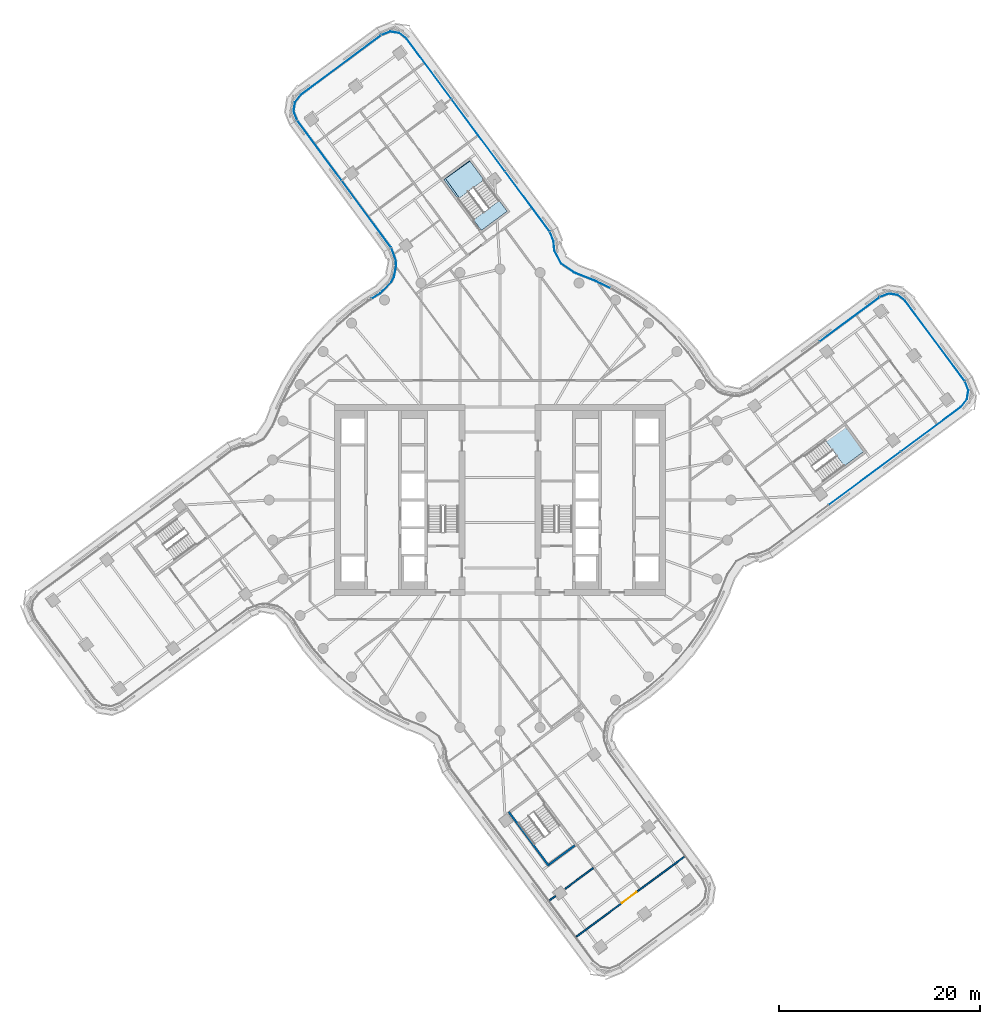
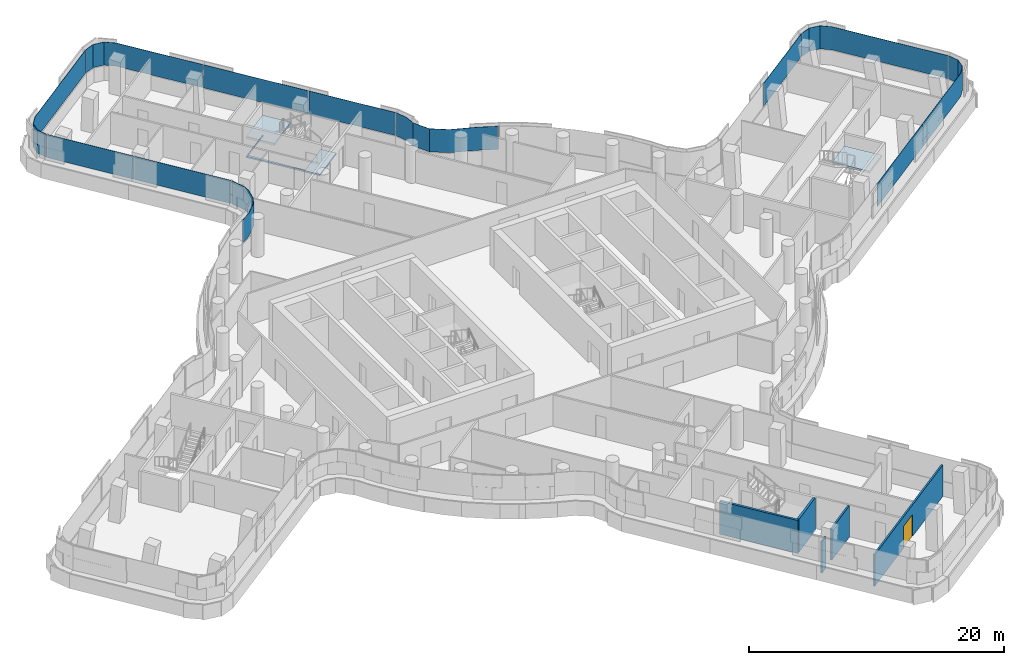
# One storey, part 19 of 32: 12 plates, 5 walls, 3 slabs, 1 door, 1 opening, 10 elements without a shape of their own.
"""IFC4 building model written with IfcOpenShell, lengths in metres."""

from ifc_helpers import new_model, si_unit, direction, frame, frame_2d, origin, place, context, subcontext, project, spatial, polyline, rectangle, outline, extrude, material, layer, layer_set, type_object, element, fill, aggregate, save


model = new_model("IFC4")

# Units and contexts
model_context = context("Model", 3, precision=1e-05, world=origin(), true_north=direction((0.0, 1.0)))
body_context = subcontext(model_context, "Body", "Model", "MODEL_VIEW")
ifc_project = project(units=[si_unit("LENGTHUNIT", "METRE"), si_unit("AREAUNIT", "SQUARE_METRE"), si_unit("VOLUMEUNIT", "CUBIC_METRE"), si_unit("PLANEANGLEUNIT", "RADIAN"), si_unit("MASSUNIT", "GRAM", prefix="KILO")], contexts=[model_context])

# Site, building, storey
site_placement = place(None, origin())
site = spatial("IfcSite", under=ifc_project, at=site_placement, CompositionType="ELEMENT")
building_placement = place(site_placement, origin())
building = spatial("IfcBuilding", under=site, at=building_placement, Name="Tamarind Cross Interchange Tower", CompositionType="ELEMENT")
storey_placement = place(building_placement, frame((0.0, 0.0, 166.75)))
storey = spatial("IfcBuildingStorey", under=building, at=storey_placement, Name="L41", CompositionType="ELEMENT", Elevation=166.75)

# Slab
ifc_material_1 = material(Name="Concrete C35", Category="concrete")
ifc_layer_1 = layer(ifc_material_1, 0.139892578125)
ifc_layer_set_1 = layer_set([ifc_layer_1], Name="Concrete C35")
slab_type_1 = type_object("IfcSlabType", Name="Composite slab 140 Concrete C35", PredefinedType="FLOOR", material=ifc_layer_set_1)
slab_1_placement = place(storey_placement, frame((0.0, 0.0, -0.139892578125)))
element("IfcSlab", 1, at=slab_1_placement, inside=storey, type_object=slab_type_1, Name="Floor slab L41", PredefinedType="FLOOR", context=body_context, shape_type="SweptSolid", body=[
    extrude(outline(polyline([(-1.8544921875, 26.849853515625), (0.715576171875, 28.75634765625), (-0.0166015625, 29.743408203125), (-0.06591796875, 29.81005859375), (-2.54345703125, 27.972412109375), (-5.42626953125, 32.01025390625), (-2.989013671875, 33.750244140625), (-3.037841796875, 33.816162109375), (-5.60791015625, 31.90966796875), (-1.8544921875, 26.849853515625)])), origin(), (0.0, 0.0, 1.0), 0.139892578125),
])

# Stair, slab
ifc_material_2 = material(Name="Exit stair")
stair_type = type_object("IfcStairType", Name="Exit stair", PredefinedType="HALF_TURN_STAIR", material=ifc_material_2)
stair_1_placement = place(storey_placement, origin())
stair_1 = element("IfcStair", 2, at=stair_1_placement, inside=storey, type_object=stair_type, Name="L41 exit stair ST3", PredefinedType="HALF_TURN_STAIR")
ifc_material_3 = material(Name="Concrete C40", Category="concrete")
ifc_layer_2 = layer(ifc_material_3, 0.199951171875)
ifc_layer_set_2 = layer_set([ifc_layer_2], Name="Concrete C40")
slab_type_2 = type_object("IfcSlabType", Name="Stair landing", PredefinedType="LANDING", material=ifc_layer_set_2)
slab_2_placement = place(storey_placement, frame((0.0, 0.0, 1.675048828125)))
slab_2 = element("IfcSlab", 3, at=slab_2_placement, type_object=slab_type_2, Name="ST3 landing 1", PredefinedType="LANDING", context=body_context, shape_type="SweptSolid", body=[
    extrude(outline(polyline([(34.288330078125, 3.38818359375), (36.2255859375, 4.8251953125), (34.319091796875, 7.395263671875), (32.3818359375, 5.958251953125), (34.288330078125, 3.38818359375)])), origin(), (0.0, 0.0, 1.0), 0.199951171875),
])
aggregate(stair_1, [slab_2])

stair_2_placement = place(storey_placement, origin())
stair_2 = element("IfcStair", 4, at=stair_2_placement, inside=storey, type_object=stair_type, Name="L41 exit stair ST4", PredefinedType="HALF_TURN_STAIR")
slab_3_placement = place(storey_placement, frame((0.0, 0.0, 1.675048828125)))
slab_3 = element("IfcSlab", 5, at=slab_3_placement, type_object=slab_type_2, Name="ST4 landing 1", PredefinedType="LANDING", context=body_context, shape_type="SweptSolid", body=[
    extrude(outline(polyline([(-1.600830078125, 31.87890625), (-3.037841796875, 33.816162109375), (-5.60791015625, 31.90966796875), (-4.1708984375, 29.972412109375), (-1.600830078125, 31.87890625)])), origin(), (0.0, 0.0, 1.0), 0.199951171875),
])
aggregate(stair_2, [slab_3])

# Curtain wall, plate
ifc_material_4 = material(Name="Aluminium 6063-T6", Category="aluminium")
ifc_layer_3 = layer(ifc_material_4, 0.159912109375)
ifc_layer_set_3 = layer_set([ifc_layer_3], Name="Aluminium 6063-T6")
curtain_wall_type = type_object("IfcCurtainWallType", Name="Office curtain wall, 9.0 m bays", PredefinedType="NOTDEFINED", material=ifc_layer_set_3)
curtain_wall_1_placement = place(storey_placement, origin())
curtain_wall_1 = element("IfcCurtainWall", 6, at=curtain_wall_1_placement, inside=storey, type_object=curtain_wall_type, Name="CWS-L41-00", PredefinedType="NOTDEFINED")
ifc_material_5 = material(Name="Laminated low-e glass 8+1.52+8", Category="glass")
ifc_layer_4 = layer(ifc_material_5, 0.028076171875)
ifc_layer_set_4 = layer_set([ifc_layer_4], Name="Laminated low-e glass 8+1.52+8")
plate_type = type_object("IfcPlateType", Name="Vision panel CW1", PredefinedType="CURTAIN_PANEL", material=ifc_layer_set_4)
plate_1_placement = place(storey_placement, frame((0.0, 0.0, 1.39990234375)))
plate_1 = element("IfcPlate", 7, at=plate_1_placement, type_object=plate_type, Name="CWP-L41-00-00", PredefinedType="CURTAIN_PANEL", context=body_context, shape_type="SweptSolid", body=[
    extrude(outline(polyline([(46.2666015625, 11.845703125), (40.359130859375, 19.809326171875), (39.615234375, 20.399658203125), (38.70458984375, 20.53466796875), (37.847412109375, 20.19580078125), (37.8369140625, 20.2216796875), (38.701416015625, 20.5634765625), (39.626708984375, 20.42626953125), (40.379638671875, 19.828857421875), (46.2890625, 11.8623046875), (46.2666015625, 11.845703125)])), origin(), (0.0, 0.0, 1.0), 2.210205078125),
])
aggregate(curtain_wall_1, [plate_1])

curtain_wall_2_placement = place(storey_placement, origin())
curtain_wall_2 = element("IfcCurtainWall", 8, at=curtain_wall_2_placement, inside=storey, type_object=curtain_wall_type, Name="CWS-L41-01", PredefinedType="NOTDEFINED")
plate_2_placement = place(storey_placement, frame((0.0, 0.0, 1.39990234375)))
plate_2 = element("IfcPlate", 9, at=plate_2_placement, type_object=plate_type, Name="CWP-L41-01-00", PredefinedType="CURTAIN_PANEL", context=body_context, shape_type="SweptSolid", body=[
    extrude(outline(polyline([(37.79833984375, 20.168701171875), (31.8427734375, 15.773193359375), (31.826171875, 15.7958984375), (37.78173828125, 20.191162109375), (37.79833984375, 20.168701171875)])), origin(), (0.0, 0.0, 1.0), 2.210205078125),
])
aggregate(curtain_wall_2, [plate_2])

curtain_wall_3_placement = place(storey_placement, origin())
curtain_wall_3 = element("IfcCurtainWall", 10, at=curtain_wall_3_placement, inside=storey, type_object=curtain_wall_type, Name="CWS-L41-02", PredefinedType="NOTDEFINED")
plate_3_placement = place(storey_placement, frame((0.0, 0.0, 1.39990234375)))
plate_3 = element("IfcPlate", 11, at=plate_3_placement, type_object=plate_type, Name="CWP-L41-02-02", PredefinedType="CURTAIN_PANEL", context=body_context, shape_type="SweptSolid", body=[
    extrude(outline(polyline([(10.96484375, 21.091552734375), (9.458740234375, 21.81982421875), (7.411376953125, 22.6220703125), (6.099365234375, 23.519775390625), (5.401123046875, 24.834228515625), (5.316650390625, 25.75927734375), (4.96240234375, 26.68798828125), (4.988525390625, 26.69775390625), (5.34423828125, 25.765625), (5.428466796875, 24.842529296875), (6.120849609375, 23.538818359375), (7.424560546875, 22.64697265625), (9.469970703125, 21.845458984375), (10.97705078125, 21.11669921875), (10.96484375, 21.091552734375)])), origin(), (0.0, 0.0, 1.0), 2.210205078125),
])
aggregate(curtain_wall_3, [plate_3])

# Curtain wall, plates
curtain_wall_4_placement = place(storey_placement, origin())
curtain_wall_4 = element("IfcCurtainWall", 12, at=curtain_wall_4_placement, inside=storey, type_object=curtain_wall_type, Name="CWS-L41-03", PredefinedType="NOTDEFINED")
plate_4_placement = place(storey_placement, frame((0.0, 0.0, 1.39990234375)))
plate_4 = element("IfcPlate", 13, at=plate_4_placement, type_object=plate_type, Name="CWP-L41-03-00", PredefinedType="CURTAIN_PANEL", context=body_context, shape_type="SweptSolid", body=[
    extrude(outline(polyline([(4.935546875, 26.736572265625), (0.516845703125, 32.693603515625), (0.539306640625, 32.710205078125), (4.9580078125, 26.75341796875), (4.935546875, 26.736572265625)])), origin(), (0.0, 0.0, 1.0), 2.210205078125),
])
plate_5_placement = place(storey_placement, frame((0.0, 0.0, 1.39990234375)))
plate_5 = element("IfcPlate", 14, at=plate_5_placement, type_object=plate_type, Name="CWP-L41-03-01", PredefinedType="CURTAIN_PANEL", context=body_context, shape_type="SweptSolid", body=[
    extrude(outline(polyline([(0.48095703125, 32.74169921875), (-4.833251953125, 39.90576171875), (-4.810791015625, 39.92236328125), (0.50341796875, 32.758544921875), (0.48095703125, 32.74169921875)])), origin(), (0.0, 0.0, 1.0), 2.210205078125),
])
plate_6_placement = place(storey_placement, frame((0.0, 0.0, 1.39990234375)))
plate_6 = element("IfcPlate", 15, at=plate_6_placement, type_object=plate_type, Name="CWP-L41-03-02", PredefinedType="CURTAIN_PANEL", context=body_context, shape_type="SweptSolid", body=[
    extrude(outline(polyline([(-4.868896484375, 39.953857421875), (-9.28515625, 45.9072265625), (-10.029052734375, 46.49755859375), (-10.939697265625, 46.632568359375), (-11.796875, 46.293701171875), (-11.80712890625, 46.31982421875), (-10.943115234375, 46.661376953125), (-10.017578125, 46.524169921875), (-9.264892578125, 45.9267578125), (-4.846435546875, 39.970458984375), (-4.868896484375, 39.953857421875)])), origin(), (0.0, 0.0, 1.0), 2.210205078125),
])
aggregate(curtain_wall_4, [plate_4, plate_5, plate_6])

# Curtain wall, plate
curtain_wall_5_placement = place(storey_placement, origin())
curtain_wall_5 = element("IfcCurtainWall", 16, at=curtain_wall_5_placement, inside=storey, type_object=curtain_wall_type, Name="CWS-L41-04", PredefinedType="NOTDEFINED")
plate_7_placement = place(storey_placement, frame((0.0, 0.0, 1.39990234375)))
plate_7 = element("IfcPlate", 17, at=plate_7_placement, type_object=plate_type, Name="CWP-L41-04-00", PredefinedType="CURTAIN_PANEL", context=body_context, shape_type="SweptSolid", body=[
    extrude(outline(polyline([(-11.845703125, 46.2666015625), (-19.809326171875, 40.359130859375), (-20.399658203125, 39.615234375), (-20.53466796875, 38.70458984375), (-20.19580078125, 37.847412109375), (-20.2216796875, 37.8369140625), (-20.5634765625, 38.701416015625), (-20.42626953125, 39.626708984375), (-19.828857421875, 40.379638671875), (-11.8623046875, 46.2890625), (-11.845703125, 46.2666015625)])), origin(), (0.0, 0.0, 1.0), 2.210205078125),
])
aggregate(curtain_wall_5, [plate_7])

# Curtain wall, plates
curtain_wall_6_placement = place(storey_placement, origin())
curtain_wall_6 = element("IfcCurtainWall", 18, at=curtain_wall_6_placement, inside=storey, type_object=curtain_wall_type, Name="CWS-L41-05", PredefinedType="NOTDEFINED")
plate_8_placement = place(storey_placement, frame((0.0, 0.0, 1.39990234375)))
plate_8 = element("IfcPlate", 19, at=plate_8_placement, type_object=plate_type, Name="CWP-L41-05-00", PredefinedType="CURTAIN_PANEL", context=body_context, shape_type="SweptSolid", body=[
    extrude(outline(polyline([(-20.168701171875, 37.79833984375), (-15.773193359375, 31.8427734375), (-15.7958984375, 31.826171875), (-20.191162109375, 37.78173828125), (-20.168701171875, 37.79833984375)])), origin(), (0.0, 0.0, 1.0), 2.210205078125),
])
plate_9_placement = place(storey_placement, frame((0.0, 0.0, 1.39990234375)))
plate_9 = element("IfcPlate", 20, at=plate_9_placement, type_object=plate_type, Name="CWP-L41-05-01", PredefinedType="CURTAIN_PANEL", context=body_context, shape_type="SweptSolid", body=[
    extrude(outline(polyline([(-15.737548828125, 31.794677734375), (-10.84375, 25.163330078125), (-10.8662109375, 25.146728515625), (-15.76025390625, 31.778076171875), (-15.737548828125, 31.794677734375)])), origin(), (0.0, 0.0, 1.0), 2.210205078125),
])
aggregate(curtain_wall_6, [plate_8, plate_9])

# Curtain wall, plate
curtain_wall_7_placement = place(storey_placement, origin())
curtain_wall_7 = element("IfcCurtainWall", 21, at=curtain_wall_7_placement, inside=storey, type_object=curtain_wall_type, Name="CWS-L41-06", PredefinedType="NOTDEFINED")
plate_10_placement = place(storey_placement, frame((0.0, 0.0, 1.39990234375)))
plate_10 = element("IfcPlate", 22, at=plate_10_placement, type_object=plate_type, Name="CWP-L41-06-00", PredefinedType="CURTAIN_PANEL", context=body_context, shape_type="SweptSolid", body=[
    extrude(outline(polyline([(-10.8134765625, 25.10791015625), (-10.37060546875, 23.930419921875), (-10.322265625, 23.3330078125), (-10.5478515625, 22.2060546875), (-10.82373046875, 21.671142578125), (-11.923828125, 20.559814453125), (-12.7705078125, 20.048095703125), (-12.784912109375, 20.072021484375), (-11.94140625, 20.58203125), (-10.8466796875, 21.687744140625), (-10.574462890625, 22.215576171875), (-10.350341796875, 23.334716796875), (-10.398193359375, 23.924072265625), (-10.839599609375, 25.097900390625), (-10.8134765625, 25.10791015625)])), origin(), (0.0, 0.0, 1.0), 2.210205078125),
])
aggregate(curtain_wall_7, [plate_10])

# Curtain wall, plates
curtain_wall_8_placement = place(storey_placement, origin())
curtain_wall_8 = element("IfcCurtainWall", 23, at=curtain_wall_8_placement, inside=storey, type_object=curtain_wall_type, Name="CWS-L41-15", PredefinedType="NOTDEFINED")
plate_11_placement = place(storey_placement, frame((0.0, 0.0, 1.39990234375)))
plate_11 = element("IfcPlate", 24, at=plate_11_placement, type_object=plate_type, Name="CWP-L41-15-01", PredefinedType="CURTAIN_PANEL", context=body_context, shape_type="SweptSolid", body=[
    extrude(outline(polyline([(32.74169921875, -0.48095703125), (39.90576171875, 4.833251953125), (39.92236328125, 4.810791015625), (32.758544921875, -0.50341796875), (32.74169921875, -0.48095703125)])), origin(), (0.0, 0.0, 1.0), 2.210205078125),
])
plate_12_placement = place(storey_placement, frame((0.0, 0.0, 1.39990234375)))
plate_12 = element("IfcPlate", 25, at=plate_12_placement, type_object=plate_type, Name="CWP-L41-15-02", PredefinedType="CURTAIN_PANEL", context=body_context, shape_type="SweptSolid", body=[
    extrude(outline(polyline([(39.953857421875, 4.868896484375), (45.9072265625, 9.28515625), (46.49755859375, 10.029052734375), (46.632568359375, 10.939697265625), (46.293701171875, 11.796875), (46.31982421875, 11.80712890625), (46.661376953125, 10.943115234375), (46.524169921875, 10.017578125), (45.9267578125, 9.264892578125), (39.970458984375, 4.846435546875), (39.953857421875, 4.868896484375)])), origin(), (0.0, 0.0, 1.0), 2.210205078125),
])
aggregate(curtain_wall_8, [plate_11, plate_12])

# Walls
ifc_material_6 = material(Name="Gypsum board partition on steel studs", Category="steel")
ifc_layer_5 = layer(ifc_material_6, 0.14990234375)
ifc_layer_set_5 = layer_set([ifc_layer_5], Name="Gypsum board partition on steel studs")
wall_type_1 = type_object("IfcWallType", Name="Partition 150 mm EI 120", PredefinedType="PARTITIONING", material=ifc_layer_set_5)
wall_1_placement = place(storey_placement, frame((4.926513671875, -39.885498046875, 0.0), z_axis=(0.0, 0.0, 1.0), x_axis=(0.803172949191, 0.595745930484, 0.0)))
element("IfcWall", 26, at=wall_1_placement, inside=storey, type_object=wall_type_1, Name="Partition L41-059", PredefinedType="PARTITIONING", context=body_context, shape_type="SweptSolid", body=[
    extrude(rectangle(XDim=0.75439453125, YDim=0.14990234375, at=frame_2d((0.377197265625, 0.0))), origin(), (0.0, 0.0, 1.0), 3.010009765625),
])
wall_2_placement = place(storey_placement, frame((6.489013671875, -38.726318359375, 0.0), z_axis=(0.0, 0.0, 1.0), x_axis=(0.803134913986, 0.595797205378, 0.0)))
element("IfcWall", 27, at=wall_2_placement, inside=storey, type_object=wall_type_1, Name="Partition L41-060", PredefinedType="PARTITIONING", context=body_context, shape_type="SweptSolid", body=[
    extrude(rectangle(XDim=3.4736328125, YDim=0.14990234375, at=frame_2d((1.73681640625, 0.0))), origin(), (0.0, 0.0, 1.0), 3.010009765625),
])

# Wall, opening, door
wall_3_placement = place(storey_placement, frame((7.607421875, -43.49951171875, 0.0), z_axis=(0.0, 0.0, 1.0), x_axis=(0.803186013587, 0.595728316919, 0.0)))
wall_3 = element("IfcWall", 28, at=wall_3_placement, inside=storey, type_object=wall_type_1, Name="Partition L41-063", PredefinedType="PARTITIONING", context=body_context, shape_type="SweptSolid", body=[
    extrude(rectangle(XDim=13.4052734375, YDim=0.14990234375, at=frame_2d((6.70263671875, 0.0))), origin(), (0.0, 0.0, 1.0), 3.010009765625),
])
opening_placement = place(wall_3_placement, frame((5.648681640625, 0.0, 0.0)))
opening = element("IfcOpeningElement", 29, at=opening_placement, cuts=wall_3, Name="Opening D37", PredefinedType="OPENING", context=body_context, shape_type="SweptSolid", body=[
    extrude(rectangle(XDim=1.800048828125, YDim=2.10009765625, at=frame_2d((0.89990234375, 1.050048828125))), frame((0.0, 0.0849609375, 0.0), z_axis=(0.0, -1.0, 0.0), x_axis=(1.0, 0.0, 0.0)), (0.0, 0.0, 1.0), 0.169921875),
])
ifc_material_7 = material(Name="Fire-resisting door set")
door_type = type_object("IfcDoorType", Name="Interior door 1800 x 2100 FD60S", OperationType="DOUBLE_DOOR_SINGLE_SWING", PredefinedType="DOOR", material=ifc_material_7)
door_placement = place(opening_placement, frame((1.800048828125, 0.0, 0.0), z_axis=(0.0, 0.0, 1.0), x_axis=(-1.0, 0.0, 0.0)))
door = element("IfcDoor", 30, at=door_placement, inside=storey, type_object=door_type, Name="Door D37", OperationType="DOUBLE_DOOR_SINGLE_SWING", OverallHeight=2.10009765625, OverallWidth=1.800048828125, PredefinedType="DOOR", context=body_context, shape_type="SweptSolid", body=[
    extrude(rectangle(XDim=1.800048828125, YDim=2.10009765625, at=frame_2d((0.89990234375, 1.050048828125))), frame((0.0, 0.02490234375, 0.0), z_axis=(0.0, -1.0, 0.0), x_axis=(1.0, 0.0, 0.0)), (0.0, 0.0, 1.0), 0.050048828125),
])
fill(opening, door)

# Walls
ifc_layer_6 = layer(ifc_material_3, 0.199951171875)
ifc_layer_set_6 = layer_set([ifc_layer_6], Name="Concrete C40")
wall_type_2 = type_object("IfcWallType", Name="Stair shaft wall 200 mm Concrete C40", PredefinedType="SHEAR", material=ifc_layer_set_6)
wall_4_placement = place(storey_placement, frame((0.872314453125, -31.064697265625, -0.139892578125), z_axis=(0.0, 0.0, 1.0), x_axis=(0.595776416227, -0.803150335783, 0.0)))
element("IfcWall", 31, at=wall_4_placement, inside=storey, type_object=wall_type_2, Name="Core wall CWL-L41-ST6-C", PredefinedType="SHEAR", context=body_context, shape_type="SweptSolid", body=[
    extrude(rectangle(XDim=6.699951171875, YDim=0.199951171875, at=frame_2d((3.35009765625, 0.0))), origin(), (0.0, 0.0, 1.0), 3.14990234375),
])
wall_5_placement = place(storey_placement, frame((0.0, 0.0, -0.139892578125)))
element("IfcWall", 32, at=wall_5_placement, inside=storey, type_object=wall_type_2, Name="Core wall CWL-L41-ST6-CF", PredefinedType="SHEAR", context=body_context, shape_type="SweptSolid", body=[
    extrude(outline(polyline([(4.8251953125, -36.2255859375), (4.9443359375, -36.38623046875), (7.514404296875, -34.479736328125), (7.395263671875, -34.319091796875), (4.8251953125, -36.2255859375)])), origin(), (0.0, 0.0, 1.0), 3.14990234375),
])

save(model, "model.ifc")
